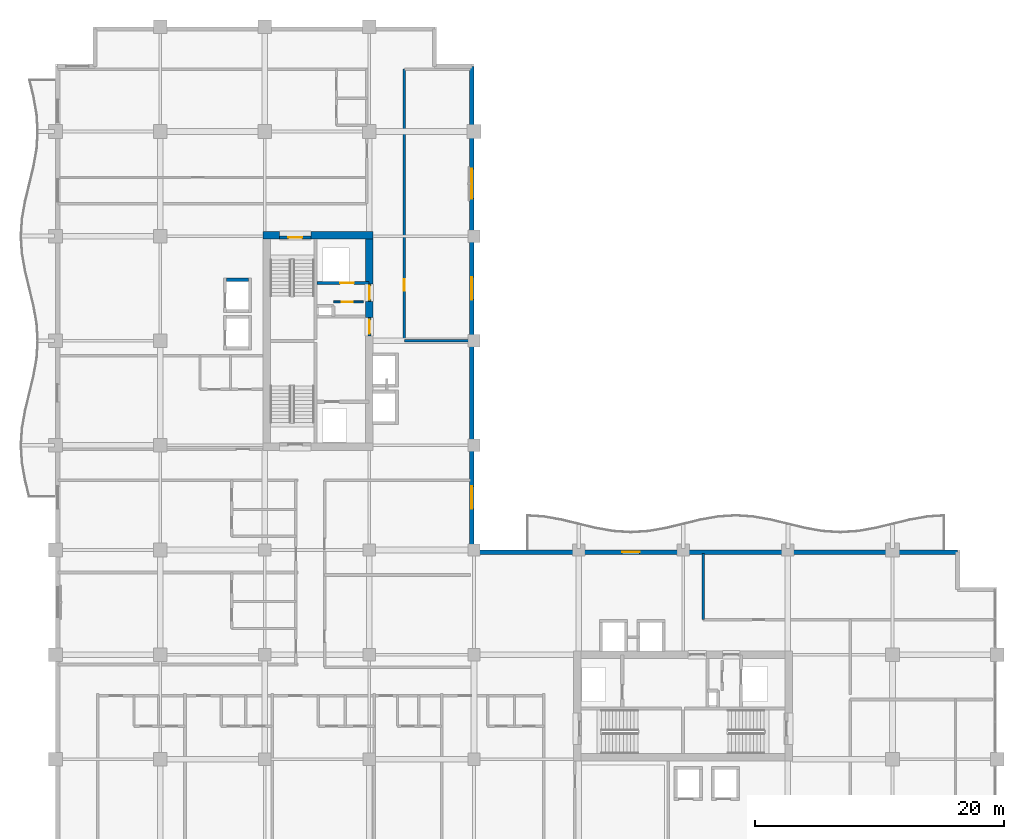
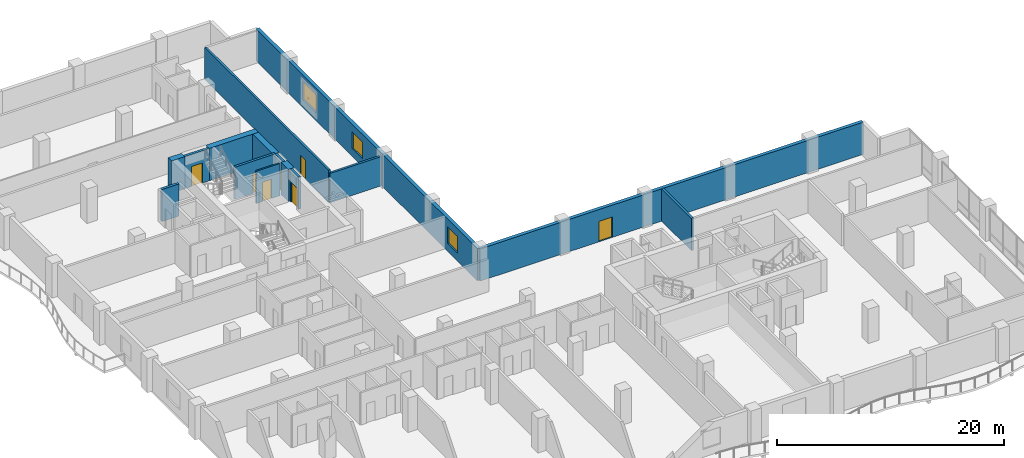
# One storey, part 13 of 21: 15 walls, 7 doors, 3 windows, 10 openings.
"""IFC4 building model written with IfcOpenShell, lengths in metres."""

from ifc_helpers import new_model, si_unit, direction, frame, frame_2d, origin, place, context, subcontext, project, spatial, rectangle, extrude, material, layer, layer_set, type_object, element, fill, save


model = new_model("IFC4")

# Units and contexts
model_context = context("Model", 3, precision=1e-05, world=origin(), true_north=direction((0.0, 1.0)))
body_context = subcontext(model_context, "Body", "Model", "MODEL_VIEW")
ifc_project = project(units=[si_unit("LENGTHUNIT", "METRE"), si_unit("AREAUNIT", "SQUARE_METRE"), si_unit("VOLUMEUNIT", "CUBIC_METRE"), si_unit("PLANEANGLEUNIT", "RADIAN"), si_unit("MASSUNIT", "GRAM", prefix="KILO")], contexts=[model_context])

# Site, building, storey
site_placement = place(None, origin())
site = spatial("IfcSite", under=ifc_project, at=site_placement, CompositionType="ELEMENT")
building_placement = place(site_placement, origin())
building = spatial("IfcBuilding", under=site, at=building_placement, Name="Koriwani Terraces Tower", CompositionType="ELEMENT")
storey_placement = place(building_placement, frame((0.0, 0.0, 197.60009765625)))
storey = spatial("IfcBuildingStorey", under=building, at=storey_placement, Name="L48", CompositionType="ELEMENT", Elevation=197.60009765625)

# Walls
ifc_material_1 = material(Name="Concrete C60/75", Category="concrete")
ifc_layer_1 = layer(ifc_material_1, 0.60009765625, Name="Concrete C60/75")
ifc_layer_set_1 = layer_set([ifc_layer_1], Name="Concrete C60/75")
wall_type_1 = type_object("IfcWallType", Name="WALL_CORE_RC_600", PredefinedType="SHEAR", material=ifc_layer_set_1)
wall_1_placement = place(storey_placement, frame((16.64990234375, 58.85009765625, 0.0), z_axis=(0.0, 0.0, 1.0), x_axis=(1.0, 0.0, 0.0)))
element("IfcWall", 1, at=wall_1_placement, inside=storey, type_object=wall_type_1, Name="L48 West Split Core Shear Wall N1", PredefinedType="SHEAR", context=body_context, shape_type="SweptSolid", body=[
    extrude(rectangle(XDim=1.35009765625, YDim=0.60009765625, at=frame_2d((0.675048828125, 0.0))), origin(), (0.0, 0.0, 1.0), 3.469970703125),
])
wall_2_placement = place(storey_placement, frame((20.5, 58.85009765625, 0.0), z_axis=(0.0, 0.0, 1.0), x_axis=(1.0, 0.0, 0.0)))
element("IfcWall", 2, at=wall_2_placement, inside=storey, type_object=wall_type_1, Name="L48 West Split Core Shear Wall N2", PredefinedType="SHEAR", context=body_context, shape_type="SweptSolid", body=[
    extrude(rectangle(XDim=5.0, YDim=0.60009765625, at=frame_2d((2.5, 0.0))), origin(), (0.0, 0.0, 1.0), 3.469970703125),
])
wall_3_placement = place(storey_placement, frame((25.199951171875, 52.280029296875, 0.0), z_axis=(0.0, 0.0, 1.0), x_axis=(0.0, 1.0, 0.0)))
element("IfcWall", 3, at=wall_3_placement, inside=storey, type_object=wall_type_1, Name="L48 West Split Core Shear Wall E2", PredefinedType="SHEAR", context=body_context, shape_type="SweptSolid", body=[
    extrude(rectangle(XDim=1.27001953125, YDim=0.60009765625, at=frame_2d((0.635009765625, 0.0))), origin(), (0.0, 0.0, 1.0), 3.469970703125),
])
wall_4_placement = place(storey_placement, frame((25.199951171875, 54.949951171875, 0.0), z_axis=(0.0, 0.0, 1.0), x_axis=(0.0, 1.0, 0.0)))
element("IfcWall", 4, at=wall_4_placement, inside=storey, type_object=wall_type_1, Name="L48 West Split Core Shear Wall E3", PredefinedType="SHEAR", context=body_context, shape_type="SweptSolid", body=[
    extrude(rectangle(XDim=3.60009765625, YDim=0.60009765625, at=frame_2d((1.800048828125, 0.0))), origin(), (0.0, 0.0, 1.0), 3.469970703125),
])

# Wall, opening, door
ifc_material_2 = material(Name="Autoclaved Cellular Concrete Blockwork", Category="masonry")
ifc_layer_2 = layer(ifc_material_2, 0.199951171875, Name="Autoclaved Cellular Concrete Blockwork")
ifc_layer_set_2 = layer_set([ifc_layer_2], Name="Autoclaved Cellular Concrete Blockwork")
wall_type_2 = type_object("IfcWallType", Name="WALL_CORRIDOR_200", PredefinedType="PARTITIONING", material=ifc_layer_set_2)
wall_5_placement = place(storey_placement, frame((28.0, 50.39990234375, 0.0), z_axis=(0.0, 0.0, 1.0), x_axis=(0.0, 1.0, 0.0)))
wall_5 = element("IfcWall", 5, at=wall_5_placement, inside=storey, type_object=wall_type_2, Name="L48 Interior Wall WNEC-W-L48", PredefinedType="PARTITIONING", context=body_context, shape_type="SweptSolid", body=[
    extrude(rectangle(XDim=21.800048828125, YDim=0.199951171875, at=frame_2d((10.89990234375, 0.0))), origin(), (0.0, 0.0, 1.0), 3.469970703125),
])
opening_1_placement = place(wall_5_placement, frame((4.0, 0.0, 0.0)))
opening_1 = element("IfcOpeningElement", 6, at=opening_1_placement, cuts=wall_5, Name="Opening D-06", PredefinedType="OPENING", context=body_context, shape_type="SweptSolid", body=[
    extrude(rectangle(XDim=0.919921875, YDim=2.10009765625, at=frame_2d((0.4599609375, 1.050048828125))), frame((0.0, 0.10986328125, 0.0), z_axis=(0.0, -1.0, 0.0), x_axis=(1.0, 0.0, 0.0)), (0.0, 0.0, 1.0), 0.219970703125),
])
ifc_material_3 = material(Name="Architectural Oak Fire Door", Category="wood")
door_type_1 = type_object("IfcDoorType", Name="DOOR_ROOM_INT_920X2100", OperationType="NOTDEFINED", PredefinedType="DOOR", material=ifc_material_3)
door_1_placement = place(opening_1_placement, origin())
door_1 = element("IfcDoor", 7, at=door_1_placement, inside=storey, type_object=door_type_1, Name="L48 North Court Study Door", OperationType="SINGLE_SWING_LEFT", OverallHeight=2.10009765625, OverallWidth=0.919921875, PredefinedType="DOOR", context=body_context, shape_type="SweptSolid", body=[
    extrude(rectangle(XDim=0.919921875, YDim=2.10009765625, at=frame_2d((0.4599609375, 1.050048828125))), frame((0.0, 0.02490234375, 0.0), z_axis=(0.0, -1.0, 0.0), x_axis=(1.0, 0.0, 0.0)), (0.0, 0.0, 1.0), 0.050048828125),
])
fill(opening_1, door_1)

# Walls
ifc_layer_3 = layer(ifc_material_2, 0.219970703125, Name="Autoclaved Cellular Concrete Blockwork")
ifc_layer_set_3 = layer_set([ifc_layer_3], Name="Autoclaved Cellular Concrete Blockwork")
wall_type_3 = type_object("IfcWallType", Name="WALL_DEMISING_220", PredefinedType="PARTITIONING", material=ifc_layer_set_3)
wall_6_placement = place(storey_placement, frame((28.0, 50.39990234375, 0.0), z_axis=(0.0, 0.0, 1.0), x_axis=(1.0, 0.0, 0.0)))
element("IfcWall", 8, at=wall_6_placement, inside=storey, type_object=wall_type_3, Name="L48 Interior Wall WNEC-S-L48", PredefinedType="PARTITIONING", context=body_context, shape_type="SweptSolid", body=[
    extrude(rectangle(XDim=5.300048828125, YDim=0.219970703125, at=frame_2d((2.64990234375, 0.0))), origin(), (0.0, 0.0, 1.0), 3.159912109375),
])
wall_7_placement = place(storey_placement, frame((52.0, 28.0, 0.0), z_axis=(0.0, 0.0, 1.0), x_axis=(0.0, 1.0, 0.0)))
element("IfcWall", 9, at=wall_7_placement, inside=storey, type_object=wall_type_3, Name="L48 Interior Wall WSET2-W-L48", PredefinedType="PARTITIONING", context=body_context, shape_type="SweptSolid", body=[
    extrude(rectangle(XDim=5.300048828125, YDim=0.219970703125, at=frame_2d((2.64990234375, 0.0))), origin(), (0.0, 0.0, 1.0), 3.469970703125),
])

# Wall, openings, windows
ifc_material_4 = material(Name="Concrete C50/60", Category="concrete")
ifc_layer_4 = layer(ifc_material_4, 0.35009765625, Name="Concrete C50/60")
ifc_layer_set_4 = layer_set([ifc_layer_4], Name="Concrete C50/60")
wall_type_4 = type_object("IfcWallType", Name="WALL_EXT_BRUTALIST_350", PredefinedType="STANDARD", material=ifc_layer_set_4)
wall_8_placement = place(storey_placement, frame((33.425048828125, 72.425048828125, 0.0), z_axis=(0.0, 0.0, 1.0), x_axis=(0.0, -1.0, 0.0)))
wall_8 = element("IfcWall", 10, at=wall_8_placement, inside=storey, type_object=wall_type_4, Name="L48 Fair-Faced Brutalist Exterior Wall (NW_IN)", PredefinedType="STANDARD", context=body_context, shape_type="SweptSolid", body=[
    extrude(rectangle(XDim=39.0, YDim=0.35009765625, at=frame_2d((19.5, 0.0))), origin(), (0.0, 0.0, 1.0), 3.469970703125),
])
opening_2_placement = place(wall_8_placement, frame((33.72509765625, 0.0, 0.85009765625)))
opening_2 = element("IfcOpeningElement", 11, at=opening_2_placement, cuts=wall_8, Name="Opening W-04", PredefinedType="OPENING", context=body_context, shape_type="SweptSolid", body=[
    extrude(rectangle(XDim=1.800048828125, YDim=1.800048828125, at=frame_2d((0.89990234375, 0.89990234375))), frame((0.0, 0.18505859375, 0.0), z_axis=(0.0, -1.0, 0.0), x_axis=(1.0, 0.0, 0.0)), (0.0, 0.0, 1.0), 0.3701171875),
])
opening_3_placement = place(wall_8_placement, frame((16.925048828125, 0.0, 0.85009765625)))
opening_3 = element("IfcOpeningElement", 12, at=opening_3_placement, cuts=wall_8, Name="Opening W-04", PredefinedType="OPENING", context=body_context, shape_type="SweptSolid", body=[
    extrude(rectangle(XDim=1.800048828125, YDim=1.800048828125, at=frame_2d((0.89990234375, 0.89990234375))), frame((0.0, 0.18505859375, 0.0), z_axis=(0.0, -1.0, 0.0), x_axis=(1.0, 0.0, 0.0)), (0.0, 0.0, 1.0), 0.3701171875),
])
opening_4_placement = place(wall_8_placement, frame((8.22509765625, 0.0, 0.85009765625)))
opening_4 = element("IfcOpeningElement", 13, at=opening_4_placement, cuts=wall_8, Name="Opening W-03", PredefinedType="OPENING", context=body_context, shape_type="SweptSolid", body=[
    extrude(rectangle(XDim=2.39990234375, YDim=1.949951171875, at=frame_2d((1.199951171875, 0.97509765625))), frame((0.0, 0.18505859375, 0.0), z_axis=(0.0, -1.0, 0.0), x_axis=(1.0, 0.0, 0.0)), (0.0, 0.0, 1.0), 0.3701171875),
])
ifc_material_5 = material(Name="Tempered Laminated Low-E Glass", Category="glass")
window_type_1 = type_object("IfcWindowType", Name="WIN_RES_BED_1800X1800", PartitioningType="DOUBLE_PANEL_VERTICAL", PredefinedType="WINDOW", material=ifc_material_5)
window_1_placement = place(opening_2_placement, origin())
window_1 = element("IfcWindow", 14, at=window_1_placement, inside=storey, type_object=window_type_1, Name="L48 Exterior Window (NW_IN-2)", OverallHeight=1.800048828125, OverallWidth=1.800048828125, PartitioningType="SINGLE_PANEL", PredefinedType="WINDOW", context=body_context, shape_type="SweptSolid", body=[
    extrude(rectangle(XDim=1.800048828125, YDim=1.800048828125, at=frame_2d((0.89990234375, 0.89990234375))), frame((0.0, 0.030029296875, 0.0), z_axis=(0.0, -1.0, 0.0), x_axis=(1.0, 0.0, 0.0)), (0.0, 0.0, 1.0), 0.06005859375),
])
fill(opening_2, window_1)
window_2_placement = place(opening_3_placement, origin())
window_2 = element("IfcWindow", 15, at=window_2_placement, inside=storey, type_object=window_type_1, Name="L48 Exterior Window (NW_IN-8)", OverallHeight=1.800048828125, OverallWidth=1.800048828125, PartitioningType="SINGLE_PANEL", PredefinedType="WINDOW", context=body_context, shape_type="SweptSolid", body=[
    extrude(rectangle(XDim=1.800048828125, YDim=1.800048828125, at=frame_2d((0.89990234375, 0.89990234375))), frame((0.0, 0.030029296875, 0.0), z_axis=(0.0, -1.0, 0.0), x_axis=(1.0, 0.0, 0.0)), (0.0, 0.0, 1.0), 0.06005859375),
])
fill(opening_3, window_2)
window_type_2 = type_object("IfcWindowType", Name="WIN_RES_LIVING_2400X1950", PartitioningType="DOUBLE_PANEL_VERTICAL", PredefinedType="WINDOW", material=ifc_material_5)
window_3_placement = place(opening_4_placement, origin())
window_3 = element("IfcWindow", 16, at=window_3_placement, inside=storey, type_object=window_type_2, Name="L48 Exterior Window (NW_IN-11)", OverallHeight=1.949951171875, OverallWidth=2.39990234375, PartitioningType="SINGLE_PANEL", PredefinedType="WINDOW", context=body_context, shape_type="SweptSolid", body=[
    extrude(rectangle(XDim=2.39990234375, YDim=1.949951171875, at=frame_2d((1.199951171875, 0.97509765625))), frame((0.0, 0.030029296875, 0.0), z_axis=(0.0, -1.0, 0.0), x_axis=(1.0, 0.0, 0.0)), (0.0, 0.0, 1.0), 0.06005859375),
])
fill(opening_4, window_3)

# Wall, opening, door
wall_9_placement = place(storey_placement, frame((33.425048828125, 33.425048828125, 0.0), z_axis=(0.0, 0.0, 1.0), x_axis=(1.0, 0.0, 0.0)))
wall_9 = element("IfcWall", 17, at=wall_9_placement, inside=storey, type_object=wall_type_4, Name="L48 Fair-Faced Brutalist Exterior Wall (NE)", PredefinedType="STANDARD", context=body_context, shape_type="SweptSolid", body=[
    extrude(rectangle(XDim=39.0, YDim=0.35009765625, at=frame_2d((19.5, 0.0))), origin(), (0.0, 0.0, 1.0), 3.469970703125),
])
opening_5_placement = place(wall_9_placement, frame((12.074951171875, 0.0, 0.0)))
opening_5 = element("IfcOpeningElement", 18, at=opening_5_placement, cuts=wall_9, Name="Opening D-09", PredefinedType="OPENING", context=body_context, shape_type="SweptSolid", body=[
    extrude(rectangle(XDim=1.39990234375, YDim=2.199951171875, at=frame_2d((0.699951171875, 1.10009765625))), frame((0.0, 0.18505859375, 0.0), z_axis=(0.0, -1.0, 0.0), x_axis=(1.0, 0.0, 0.0)), (0.0, 0.0, 1.0), 0.3701171875),
])
ifc_material_6 = material(Name="Anodised Bronze Aluminium", Category="aluminium")
door_type_2 = type_object("IfcDoorType", Name="DOOR_BALCONY_GLAZED_1400X2200", OperationType="NOTDEFINED", PredefinedType="DOOR", material=ifc_material_6)
door_2_placement = place(opening_5_placement, origin())
door_2 = element("IfcDoor", 19, at=door_2_placement, inside=storey, type_object=door_type_2, Name="L48 Inner Court Balcony Glazed Door", OperationType="SINGLE_SWING_LEFT", OverallHeight=2.199951171875, OverallWidth=1.39990234375, PredefinedType="DOOR", context=body_context, shape_type="SweptSolid", body=[
    extrude(rectangle(XDim=1.39990234375, YDim=2.199951171875, at=frame_2d((0.699951171875, 1.10009765625))), frame((0.0, 0.02490234375, 0.0), z_axis=(0.0, -1.0, 0.0), x_axis=(1.0, 0.0, 0.0)), (0.0, 0.0, 1.0), 0.050048828125),
])
fill(opening_5, door_2)

ifc_material_7 = material(Name="Concrete C40/50", Category="concrete")
ifc_layer_5 = layer(ifc_material_7, 0.25, Name="Concrete C40/50")
ifc_layer_set_5 = layer_set([ifc_layer_5], Name="Concrete C40/50")
wall_type_5 = type_object("IfcWallType", Name="WALL_SHAFT_RATED_250", PredefinedType="SOLIDWALL", material=ifc_layer_set_5)
wall_10_placement = place(storey_placement, frame((18.0, 58.675048828125, 0.0), z_axis=(0.0, 0.0, 1.0), x_axis=(1.0, 0.0, 0.0)))
wall_10 = element("IfcWall", 20, at=wall_10_placement, inside=storey, type_object=wall_type_5, Name="L48 Interior Wall WIN-CW-L48-STN", PredefinedType="SOLIDWALL", context=body_context, shape_type="SweptSolid", body=[
    extrude(rectangle(XDim=2.5, YDim=0.25, at=frame_2d((1.25, 0.0))), origin(), (0.0, 0.0, 1.0), 3.469970703125),
])
opening_6_placement = place(wall_10_placement, frame((0.699951171875, 0.0, 0.0)))
opening_6 = element("IfcOpeningElement", 21, at=opening_6_placement, cuts=wall_10, Name="Opening D-03", PredefinedType="OPENING", context=body_context, shape_type="SweptSolid", body=[
    extrude(rectangle(XDim=1.10009765625, YDim=2.14990234375, at=frame_2d((0.550048828125, 1.074951171875))), frame((0.0, 0.135009765625, 0.0), z_axis=(0.0, -1.0, 0.0), x_axis=(1.0, 0.0, 0.0)), (0.0, 0.0, 1.0), 0.27001953125),
])
ifc_material_8 = material(Name="Steel ASTM A572 Grade 50", Category="steel")
door_type_3 = type_object("IfcDoorType", Name="DOOR_STAIR_FIRE_1100X2150", OperationType="NOTDEFINED", PredefinedType="DOOR", material=ifc_material_8)
door_3_placement = place(opening_6_placement, origin())
door_3 = element("IfcDoor", 22, at=door_3_placement, inside=storey, type_object=door_type_3, Name="L48 Exit Stair ST-W2 Door", OperationType="SINGLE_SWING_LEFT", OverallHeight=2.14990234375, OverallWidth=1.10009765625, PredefinedType="DOOR", context=body_context, shape_type="SweptSolid", body=[
    extrude(rectangle(XDim=1.10009765625, YDim=2.14990234375, at=frame_2d((0.550048828125, 1.074951171875))), frame((0.0, 0.02490234375, 0.0), z_axis=(0.0, -1.0, 0.0), x_axis=(1.0, 0.0, 0.0)), (0.0, 0.0, 1.0), 0.050048828125),
])
fill(opening_6, door_3)

wall_11_placement = place(storey_placement, frame((25.199951171875, 50.800048828125, 0.0), z_axis=(0.0, 0.0, 1.0), x_axis=(0.0, 1.0, 0.0)))
wall_11 = element("IfcWall", 23, at=wall_11_placement, inside=storey, type_object=wall_type_5, Name="L48 Interior Wall WIN-CW-L48-EP", PredefinedType="SOLIDWALL", context=body_context, shape_type="SweptSolid", body=[
    extrude(rectangle(XDim=1.47998046875, YDim=0.25, at=frame_2d((0.739990234375, 0.0))), origin(), (0.0, 0.0, 1.0), 3.469970703125),
])
opening_7_placement = place(wall_11_placement, frame((0.179931640625, 0.0, 0.0)))
opening_7 = element("IfcOpeningElement", 24, at=opening_7_placement, cuts=wall_11, Name="Opening D-03", PredefinedType="OPENING", context=body_context, shape_type="SweptSolid", body=[
    extrude(rectangle(XDim=1.10009765625, YDim=2.14990234375, at=frame_2d((0.550048828125, 1.074951171875))), frame((0.0, 0.135009765625, 0.0), z_axis=(0.0, -1.0, 0.0), x_axis=(1.0, 0.0, 0.0)), (0.0, 0.0, 1.0), 0.27001953125),
])
door_4_placement = place(opening_7_placement, origin())
door_4 = element("IfcDoor", 25, at=door_4_placement, inside=storey, type_object=door_type_3, Name="L48 West Firefighting Lobby Door", OperationType="SINGLE_SWING_RIGHT", OverallHeight=2.14990234375, OverallWidth=1.10009765625, PredefinedType="DOOR", context=body_context, shape_type="SweptSolid", body=[
    extrude(rectangle(XDim=1.10009765625, YDim=2.14990234375, at=frame_2d((0.550048828125, 1.074951171875))), frame((0.0, 0.02490234375, 0.0), z_axis=(0.0, -1.0, 0.0), x_axis=(1.0, 0.0, 0.0)), (0.0, 0.0, 1.0), 0.050048828125),
])
fill(opening_7, door_4)

wall_12_placement = place(storey_placement, frame((21.0, 55.050048828125, 0.0), z_axis=(0.0, 0.0, 1.0), x_axis=(1.0, 0.0, 0.0)))
wall_12 = element("IfcWall", 26, at=wall_12_placement, inside=storey, type_object=wall_type_5, Name="L48 Interior Wall WIN-CW-L48-SE", PredefinedType="SOLIDWALL", context=body_context, shape_type="SweptSolid", body=[
    extrude(rectangle(XDim=4.14990234375, YDim=0.25, at=frame_2d((2.074951171875, 0.0))), origin(), (0.0, 0.0, 1.0), 3.469970703125),
])
opening_8_placement = place(wall_12_placement, frame((1.85009765625, 0.0, 0.0)))
opening_8 = element("IfcOpeningElement", 27, at=opening_8_placement, cuts=wall_12, Name="Opening LD-01", PredefinedType="OPENING", context=body_context, shape_type="SweptSolid", body=[
    extrude(rectangle(XDim=1.10009765625, YDim=2.14990234375, at=frame_2d((0.550048828125, 1.074951171875))), frame((0.0, 0.135009765625, 0.0), z_axis=(0.0, -1.0, 0.0), x_axis=(1.0, 0.0, 0.0)), (0.0, 0.0, 1.0), 0.27001953125),
])
door_type_4 = type_object("IfcDoorType", Name="DOOR_LIFT_LANDING_1100X2200", OperationType="NOTDEFINED", PredefinedType="DOOR", material=ifc_material_8)
door_5_placement = place(opening_8_placement, origin())
door_5 = element("IfcDoor", 28, at=door_5_placement, inside=storey, type_object=door_type_4, Name="L48 Goods Lift SE-01 Landing Door", OperationType="SLIDING_TO_LEFT", OverallHeight=2.14990234375, OverallWidth=1.10009765625, PredefinedType="DOOR", context=body_context, shape_type="SweptSolid", body=[
    extrude(rectangle(XDim=1.10009765625, YDim=2.14990234375, at=frame_2d((0.550048828125, 1.074951171875))), frame((0.0, 0.02490234375, 0.0), z_axis=(0.0, -1.0, 0.0), x_axis=(1.0, 0.0, 0.0)), (0.0, 0.0, 1.0), 0.050048828125),
])
fill(opening_8, door_5)

wall_13_placement = place(storey_placement, frame((25.199951171875, 53.550048828125, 0.0), z_axis=(0.0, 0.0, 1.0), x_axis=(0.0, 1.0, 0.0)))
wall_13 = element("IfcWall", 29, at=wall_13_placement, inside=storey, type_object=wall_type_5, Name="L48 Interior Wall WIN-CW-L48-EP2", PredefinedType="SOLIDWALL", context=body_context, shape_type="SweptSolid", body=[
    extrude(rectangle(XDim=1.39990234375, YDim=0.25, at=frame_2d((0.699951171875, 0.0))), origin(), (0.0, 0.0, 1.0), 3.469970703125),
])
opening_9_placement = place(wall_13_placement, frame((0.14990234375, 0.0, 0.0)))
opening_9 = element("IfcOpeningElement", 30, at=opening_9_placement, cuts=wall_13, Name="Opening D-03", PredefinedType="OPENING", context=body_context, shape_type="SweptSolid", body=[
    extrude(rectangle(XDim=1.10009765625, YDim=2.14990234375, at=frame_2d((0.550048828125, 1.074951171875))), frame((0.0, 0.135009765625, 0.0), z_axis=(0.0, -1.0, 0.0), x_axis=(1.0, 0.0, 0.0)), (0.0, 0.0, 1.0), 0.27001953125),
])
door_6_placement = place(opening_9_placement, origin())
door_6 = element("IfcDoor", 31, at=door_6_placement, inside=storey, type_object=door_type_3, Name="L48 West Goods Lift Lobby Door", OperationType="SINGLE_SWING_LEFT", OverallHeight=2.14990234375, OverallWidth=1.10009765625, PredefinedType="DOOR", context=body_context, shape_type="SweptSolid", body=[
    extrude(rectangle(XDim=1.10009765625, YDim=2.14990234375, at=frame_2d((0.550048828125, 1.074951171875))), frame((0.0, 0.02490234375, 0.0), z_axis=(0.0, -1.0, 0.0), x_axis=(1.0, 0.0, 0.0)), (0.0, 0.0, 1.0), 0.050048828125),
])
fill(opening_9, door_6)

# Wall
wall_14_placement = place(storey_placement, frame((13.72509765625, 55.300048828125, 0.0), z_axis=(0.0, 0.0, 1.0), x_axis=(1.0, 0.0, 0.0)))
element("IfcWall", 32, at=wall_14_placement, inside=storey, type_object=wall_type_5, Name="L48 Interior Wall WIN-LF-PE-M2-L48-N", PredefinedType="SOLIDWALL", context=body_context, shape_type="SweptSolid", body=[
    extrude(rectangle(XDim=1.75, YDim=0.25, at=frame_2d((0.875, 0.0))), origin(), (0.0, 0.0, 1.0), 3.469970703125),
])

# Wall, opening, door
ifc_material_9 = material(Name="Fire-Rated Acoustic Gypsum Partition", Category="masonry")
ifc_layer_6 = layer(ifc_material_9, 0.159912109375, Name="Fire-Rated Acoustic Gypsum Partition")
ifc_layer_set_6 = layer_set([ifc_layer_6], Name="Fire-Rated Acoustic Gypsum Partition")
wall_type_6 = type_object("IfcWallType", Name="WALL_SUITE_160", PredefinedType="PARTITIONING", material=ifc_layer_set_6)
wall_15_placement = place(storey_placement, frame((22.320068359375, 53.52001953125, 0.0), z_axis=(0.0, 0.0, 1.0), x_axis=(1.0, 0.0, 0.0)))
wall_15 = element("IfcWall", 33, at=wall_15_placement, inside=storey, type_object=wall_type_6, Name="L48 Interior Wall WIN-CW-L48-SV0", PredefinedType="PARTITIONING", context=body_context, shape_type="SweptSolid", body=[
    extrude(rectangle(XDim=2.39990234375, YDim=0.159912109375, at=frame_2d((1.199951171875, 0.0))), origin(), (0.0, 0.0, 1.0), 3.469970703125),
])
opening_10_placement = place(wall_15_placement, frame((0.64990234375, 0.0, 0.0)))
opening_10 = element("IfcOpeningElement", 34, at=opening_10_placement, cuts=wall_15, Name="Opening D-07", PredefinedType="OPENING", context=body_context, shape_type="SweptSolid", body=[
    extrude(rectangle(XDim=0.89990234375, YDim=2.10009765625, at=frame_2d((0.449951171875, 1.050048828125))), frame((0.0, 0.08984375, 0.0), z_axis=(0.0, -1.0, 0.0), x_axis=(1.0, 0.0, 0.0)), (0.0, 0.0, 1.0), 0.179931640625),
])
door_type_5 = type_object("IfcDoorType", Name="DOOR_BATH_INT_900X2100", OperationType="NOTDEFINED", PredefinedType="DOOR", material=ifc_material_3)
door_7_placement = place(opening_10_placement, origin())
door_7 = element("IfcDoor", 35, at=door_7_placement, inside=storey, type_object=door_type_5, Name="L48 West Electrical Switch Room Door", OperationType="SINGLE_SWING_RIGHT", OverallHeight=2.10009765625, OverallWidth=0.89990234375, PredefinedType="DOOR", context=body_context, shape_type="SweptSolid", body=[
    extrude(rectangle(XDim=0.89990234375, YDim=2.10009765625, at=frame_2d((0.449951171875, 1.050048828125))), frame((0.0, 0.02490234375, 0.0), z_axis=(0.0, -1.0, 0.0), x_axis=(1.0, 0.0, 0.0)), (0.0, 0.0, 1.0), 0.050048828125),
])
fill(opening_10, door_7)

save(model, "model.ifc")
